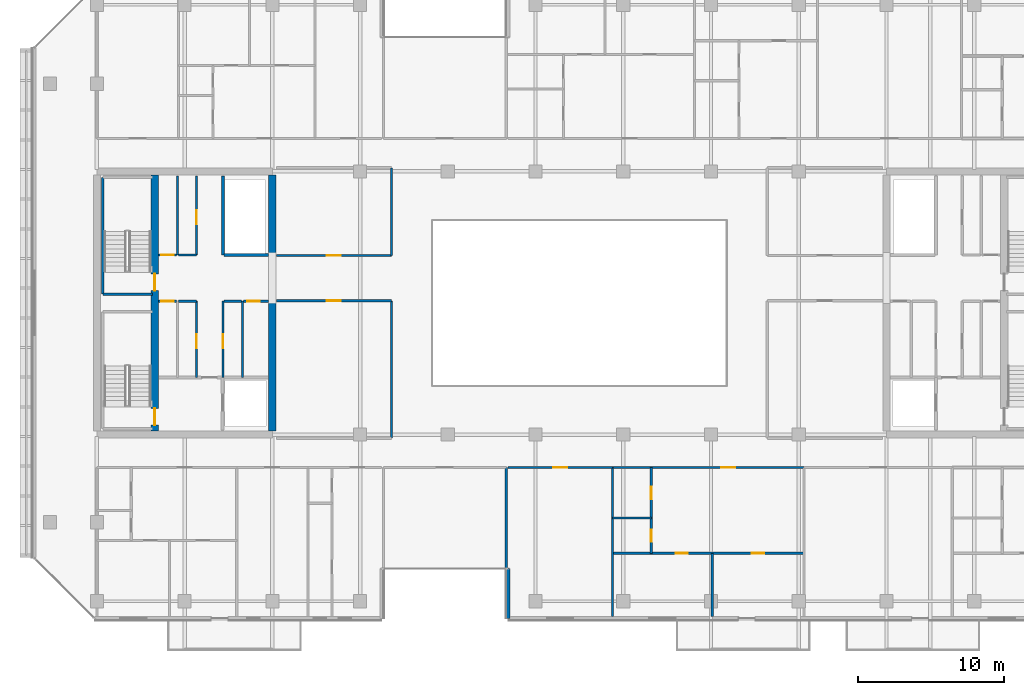
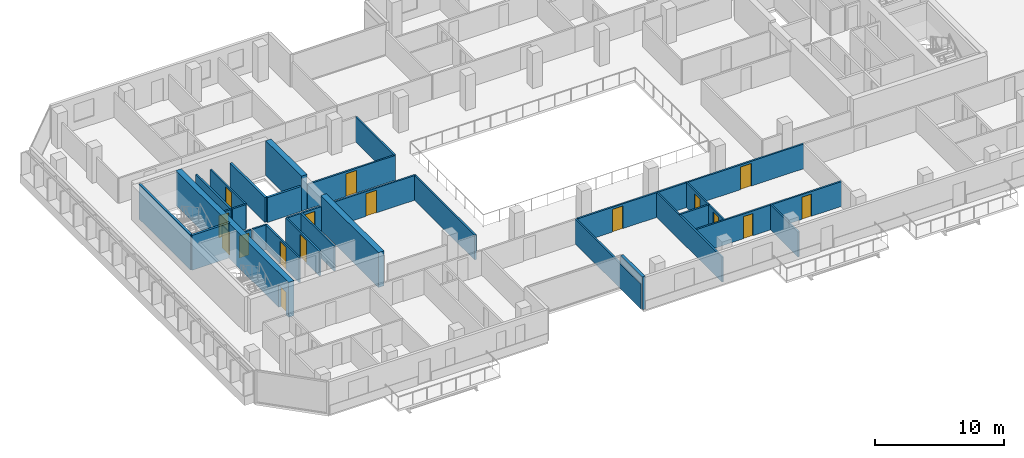
# One storey, part 20 of 29: 31 walls, 16 doors, 16 openings.
"""IFC4 building model written with IfcOpenShell, lengths in metres."""

from ifc_helpers import new_model, si_unit, direction, frame, frame_2d, origin, place, context, subcontext, project, spatial, rectangle, extrude, material, layer, layer_set, type_object, element, fill, save


model = new_model("IFC4")

# Units and contexts
model_context = context("Model", 3, precision=1e-05, world=origin(), true_north=direction((0.0, 1.0)))
body_context = subcontext(model_context, "Body", "Model", "MODEL_VIEW")
ifc_project = project(units=[si_unit("LENGTHUNIT", "METRE"), si_unit("AREAUNIT", "SQUARE_METRE"), si_unit("VOLUMEUNIT", "CUBIC_METRE"), si_unit("PLANEANGLEUNIT", "RADIAN"), si_unit("MASSUNIT", "GRAM", prefix="KILO")], contexts=[model_context])

# Site, building, storey
site_placement = place(None, origin())
site = spatial("IfcSite", under=ifc_project, at=site_placement, CompositionType="ELEMENT")
building_placement = place(site_placement, origin())
building = spatial("IfcBuilding", under=site, at=building_placement, Name="Tanjung Sevakor Pilgrim Tower", CompositionType="ELEMENT")
storey_placement = place(building_placement, frame((0.0, 0.0, 148.5)))
storey = spatial("IfcBuildingStorey", under=building, at=storey_placement, Name="L41", CompositionType="ELEMENT", Elevation=148.5)

# Walls
ifc_material_1 = material(Name="Concrete C60/75", Category="concrete")
ifc_layer_1 = layer(ifc_material_1, 0.5)
ifc_layer_set_1 = layer_set([ifc_layer_1], Name="WALL-CW-500")
wall_type_1 = type_object("IfcWallType", Name="WALL-CW-500", PredefinedType="SHEAR", material=ifc_layer_set_1)
wall_1_placement = place(storey_placement, frame((36.0, 24.85009765625, 0.0), z_axis=(0.0, 0.0, 1.0), x_axis=(0.0, 1.0, 0.0)))
element("IfcWall", 1, at=wall_1_placement, inside=storey, type_object=wall_type_1, Name="L41 W Core Inner Shear Wall South", PredefinedType="SHEAR", context=body_context, shape_type="SweptSolid", body=[
    extrude(rectangle(XDim=8.949951171875, YDim=0.5, at=frame_2d((4.47509765625, 0.0))), origin(), (0.0, 0.0, 1.0), 3.300048828125),
])
wall_2_placement = place(storey_placement, frame((36.0, 36.800048828125, 0.0), z_axis=(0.0, 0.0, 1.0), x_axis=(0.0, 1.0, 0.0)))
element("IfcWall", 2, at=wall_2_placement, inside=storey, type_object=wall_type_1, Name="L41 W Core Inner Shear Wall North", PredefinedType="SHEAR", context=body_context, shape_type="SweptSolid", body=[
    extrude(rectangle(XDim=5.550048828125, YDim=0.5, at=frame_2d((2.77490234375, 0.0))), origin(), (0.0, 0.0, 1.0), 3.300048828125),
])

# Wall, openings, doors
wall_3_placement = place(storey_placement, frame((27.949951171875, 24.85009765625, 0.0), z_axis=(0.0, 0.0, 1.0), x_axis=(0.0, 1.0, 0.0)))
wall_3 = element("IfcWall", 3, at=wall_3_placement, inside=storey, type_object=wall_type_1, Name="L41 W Core Stair Spine Wall", PredefinedType="SHEAR", context=body_context, shape_type="SweptSolid", body=[
    extrude(rectangle(XDim=17.5, YDim=0.5, at=frame_2d((8.75, 0.0))), origin(), (0.0, 0.0, 1.0), 3.300048828125),
])
opening_1_placement = place(wall_3_placement, frame((0.39990234375, 0.0, 0.0)))
opening_1 = element("IfcOpeningElement", 4, at=opening_1_placement, cuts=wall_3, Name="Opening ID-ST1", PredefinedType="OPENING", context=body_context, shape_type="SweptSolid", body=[
    extrude(rectangle(XDim=1.14990234375, YDim=2.14990234375, at=frame_2d((0.574951171875, 1.074951171875))), frame((0.0, 0.260009765625, 0.0), z_axis=(0.0, -1.0, 0.0), x_axis=(1.0, 0.0, 0.0)), (0.0, 0.0, 1.0), 0.52001953125),
])
opening_2_placement = place(wall_3_placement, frame((9.60009765625, 0.0, 0.0)))
opening_2 = element("IfcOpeningElement", 5, at=opening_2_placement, cuts=wall_3, Name="Opening ID-ST1", PredefinedType="OPENING", context=body_context, shape_type="SweptSolid", body=[
    extrude(rectangle(XDim=1.14990234375, YDim=2.14990234375, at=frame_2d((0.574951171875, 1.074951171875))), frame((0.0, 0.260009765625, 0.0), z_axis=(0.0, -1.0, 0.0), x_axis=(1.0, 0.0, 0.0)), (0.0, 0.0, 1.0), 0.52001953125),
])
ifc_material_2 = material(Name="Fire-Rated Steel S355J2", Category="steel")
door_type_1 = type_object("IfcDoorType", Name="DT-FIRE-1150", OperationType="NOTDEFINED", PredefinedType="DOOR", material=ifc_material_2)
door_1_placement = place(opening_1_placement, origin())
door_1 = element("IfcDoor", 6, at=door_1_placement, inside=storey, type_object=door_type_1, Name="L41 TS-W1 Stair Fire Door", OperationType="SINGLE_SWING_LEFT", OverallHeight=2.14990234375, OverallWidth=1.14990234375, PredefinedType="DOOR", context=body_context, shape_type="SweptSolid", body=[
    extrude(rectangle(XDim=1.14990234375, YDim=2.14990234375, at=frame_2d((0.574951171875, 1.074951171875))), frame((0.0, 0.02490234375, 0.0), z_axis=(0.0, -1.0, 0.0), x_axis=(1.0, 0.0, 0.0)), (0.0, 0.0, 1.0), 0.050048828125),
])
fill(opening_1, door_1)
door_2_placement = place(opening_2_placement, origin())
door_2 = element("IfcDoor", 7, at=door_2_placement, inside=storey, type_object=door_type_1, Name="L41 TS-W2 Stair Fire Door", OperationType="SINGLE_SWING_RIGHT", OverallHeight=2.14990234375, OverallWidth=1.14990234375, PredefinedType="DOOR", context=body_context, shape_type="SweptSolid", body=[
    extrude(rectangle(XDim=1.14990234375, YDim=2.14990234375, at=frame_2d((0.574951171875, 1.074951171875))), frame((0.0, 0.02490234375, 0.0), z_axis=(0.0, -1.0, 0.0), x_axis=(1.0, 0.0, 0.0)), (0.0, 0.0, 1.0), 0.050048828125),
])
fill(opening_2, door_2)

# Wall, opening, door
ifc_material_3 = material(Name="Concrete C40/50", Category="concrete")
ifc_layer_2 = layer(ifc_material_3, 0.14990234375)
ifc_layer_set_2 = layer_set([ifc_layer_2], Name="WT-COMP-150")
wall_type_2 = type_object("IfcWallType", Name="WT-COMP-150", PredefinedType="SOLIDWALL", material=ifc_layer_set_2)
wall_4_placement = place(storey_placement, frame((28.219970703125, 33.719970703125, 0.0), z_axis=(0.0, 0.0, 1.0), x_axis=(1.0, 0.0, 0.0)))
wall_4 = element("IfcWall", 8, at=wall_4_placement, inside=storey, type_object=wall_type_2, Name="L41 Partition IW-L41-004", PredefinedType="SOLIDWALL", context=body_context, shape_type="SweptSolid", body=[
    extrude(rectangle(XDim=1.22998046875, YDim=0.14990234375, at=frame_2d((0.614990234375, 0.0))), origin(), (0.0, 0.0, 1.0), 2.35009765625),
])
opening_3_placement = place(wall_4_placement, frame((0.179931640625, 0.0, 0.0)))
opening_3 = element("IfcOpeningElement", 9, at=opening_3_placement, cuts=wall_4, Name="Opening ID-FD3", PredefinedType="OPENING", context=body_context, shape_type="SweptSolid", body=[
    extrude(rectangle(XDim=0.85009765625, YDim=2.10009765625, at=frame_2d((0.425048828125, 1.050048828125))), frame((0.0, 0.0849609375, 0.0), z_axis=(0.0, -1.0, 0.0), x_axis=(1.0, 0.0, 0.0)), (0.0, 0.0, 1.0), 0.169921875),
])
ifc_material_4 = material(Name="Fire-Rated Timber", Category="wood")
door_type_2 = type_object("IfcDoorType", Name="DT-FIRE-850", OperationType="NOTDEFINED", PredefinedType="DOOR", material=ifc_material_4)
door_3_placement = place(opening_3_placement, origin())
door_3 = element("IfcDoor", 10, at=door_3_placement, inside=storey, type_object=door_type_2, Name="L41 Cleaner Store Door", OperationType="SINGLE_SWING_RIGHT", OverallHeight=2.10009765625, OverallWidth=0.85009765625, PredefinedType="DOOR", context=body_context, shape_type="SweptSolid", body=[
    extrude(rectangle(XDim=0.85009765625, YDim=2.10009765625, at=frame_2d((0.425048828125, 1.050048828125))), frame((0.0, 0.02490234375, 0.0), z_axis=(0.0, -1.0, 0.0), x_axis=(1.0, 0.0, 0.0)), (0.0, 0.0, 1.0), 0.050048828125),
])
fill(opening_3, door_3)

# Wall
wall_5_placement = place(storey_placement, frame((29.580078125, 33.719970703125, 0.0), z_axis=(0.0, 0.0, 1.0), x_axis=(1.0, 0.0, 0.0)))
element("IfcWall", 11, at=wall_5_placement, inside=storey, type_object=wall_type_2, Name="L41 Partition IW-L41-005", PredefinedType="SOLIDWALL", context=body_context, shape_type="SweptSolid", body=[
    extrude(rectangle(XDim=1.219970703125, YDim=0.14990234375, at=frame_2d((0.60986328125, 0.0))), origin(), (0.0, 0.0, 1.0), 2.35009765625),
])

# Wall, opening, door
wall_6_placement = place(storey_placement, frame((30.820068359375, 28.5, 0.0), z_axis=(0.0, 0.0, 1.0), x_axis=(0.0, 1.0, 0.0)))
wall_6 = element("IfcWall", 12, at=wall_6_placement, inside=storey, type_object=wall_type_2, Name="L41 Partition IW-L41-006", PredefinedType="SOLIDWALL", context=body_context, shape_type="SweptSolid", body=[
    extrude(rectangle(XDim=5.219970703125, YDim=0.14990234375, at=frame_2d((2.60986328125, 0.0))), origin(), (0.0, 0.0, 1.0), 2.35009765625),
])
opening_4_placement = place(wall_6_placement, frame((2.0, 0.0, 0.0)))
opening_4 = element("IfcOpeningElement", 13, at=opening_4_placement, cuts=wall_6, Name="Opening ID-FD2", PredefinedType="OPENING", context=body_context, shape_type="SweptSolid", body=[
    extrude(rectangle(XDim=0.949951171875, YDim=2.14990234375, at=frame_2d((0.47509765625, 1.074951171875))), frame((0.0, 0.0849609375, 0.0), z_axis=(0.0, -1.0, 0.0), x_axis=(1.0, 0.0, 0.0)), (0.0, 0.0, 1.0), 0.169921875),
])
ifc_material_5 = material(Name="Fire-Rated Timber", Category="wood")
door_type_3 = type_object("IfcDoorType", Name="DT-FIRE-950", OperationType="NOTDEFINED", PredefinedType="DOOR", material=ifc_material_5)
door_4_placement = place(opening_4_placement, origin())
door_4 = element("IfcDoor", 14, at=door_4_placement, inside=storey, type_object=door_type_3, Name="L41 Housekeeping Pantry Door", OperationType="SINGLE_SWING_LEFT", OverallHeight=2.14990234375, OverallWidth=0.949951171875, PredefinedType="DOOR", context=body_context, shape_type="SweptSolid", body=[
    extrude(rectangle(XDim=0.949951171875, YDim=2.14990234375, at=frame_2d((0.47509765625, 1.074951171875))), frame((0.0, 0.02490234375, 0.0), z_axis=(0.0, -1.0, 0.0), x_axis=(1.0, 0.0, 0.0)), (0.0, 0.0, 1.0), 0.050048828125),
])
fill(opening_4, door_4)

# Walls
wall_7_placement = place(storey_placement, frame((33.949951171875, 28.5, 0.0), z_axis=(0.0, 0.0, 1.0), x_axis=(0.0, 1.0, 0.0)))
element("IfcWall", 15, at=wall_7_placement, inside=storey, type_object=wall_type_2, Name="L41 Partition IW-L41-007", PredefinedType="SOLIDWALL", context=body_context, shape_type="SweptSolid", body=[
    extrude(rectangle(XDim=5.219970703125, YDim=0.14990234375, at=frame_2d((2.60986328125, 0.0))), origin(), (0.0, 0.0, 1.0), 2.35009765625),
])
wall_8_placement = place(storey_placement, frame((32.679931640625, 33.719970703125, 0.0), z_axis=(0.0, 0.0, 1.0), x_axis=(1.0, 0.0, 0.0)))
element("IfcWall", 16, at=wall_8_placement, inside=storey, type_object=wall_type_2, Name="L41 Partition IW-L41-008", PredefinedType="SOLIDWALL", context=body_context, shape_type="SweptSolid", body=[
    extrude(rectangle(XDim=1.2099609375, YDim=0.14990234375, at=frame_2d((0.60498046875, 0.0))), origin(), (0.0, 0.0, 1.0), 2.35009765625),
])

# Wall, opening, door
wall_9_placement = place(storey_placement, frame((34.010009765625, 33.719970703125, 0.0), z_axis=(0.0, 0.0, 1.0), x_axis=(1.0, 0.0, 0.0)))
wall_9 = element("IfcWall", 17, at=wall_9_placement, inside=storey, type_object=wall_type_2, Name="L41 Partition IW-L41-009", PredefinedType="SOLIDWALL", context=body_context, shape_type="SweptSolid", body=[
    extrude(rectangle(XDim=1.719970703125, YDim=0.14990234375, at=frame_2d((0.85986328125, 0.0))), origin(), (0.0, 0.0, 1.0), 2.35009765625),
])
opening_5_placement = place(wall_9_placement, frame((0.280029296875, 0.0, 0.0)))
opening_5 = element("IfcOpeningElement", 18, at=opening_5_placement, cuts=wall_9, Name="Opening ID-FD3", PredefinedType="OPENING", context=body_context, shape_type="SweptSolid", body=[
    extrude(rectangle(XDim=0.85009765625, YDim=2.10009765625, at=frame_2d((0.425048828125, 1.050048828125))), frame((0.0, 0.0849609375, 0.0), z_axis=(0.0, -1.0, 0.0), x_axis=(1.0, 0.0, 0.0)), (0.0, 0.0, 1.0), 0.169921875),
])
door_5_placement = place(opening_5_placement, origin())
door_5 = element("IfcDoor", 19, at=door_5_placement, inside=storey, type_object=door_type_2, Name="L41 Service Store Door", OperationType="SINGLE_SWING_RIGHT", OverallHeight=2.10009765625, OverallWidth=0.85009765625, PredefinedType="DOOR", context=body_context, shape_type="SweptSolid", body=[
    extrude(rectangle(XDim=0.85009765625, YDim=2.10009765625, at=frame_2d((0.425048828125, 1.050048828125))), frame((0.0, 0.02490234375, 0.0), z_axis=(0.0, -1.0, 0.0), x_axis=(1.0, 0.0, 0.0)), (0.0, 0.0, 1.0), 0.050048828125),
])
fill(opening_5, door_5)

wall_10_placement = place(storey_placement, frame((32.6201171875, 28.5, 0.0), z_axis=(0.0, 0.0, 1.0), x_axis=(0.0, 1.0, 0.0)))
wall_10 = element("IfcWall", 20, at=wall_10_placement, inside=storey, type_object=wall_type_2, Name="L41 Partition IW-L41-010", PredefinedType="SOLIDWALL", context=body_context, shape_type="SweptSolid", body=[
    extrude(rectangle(XDim=5.219970703125, YDim=0.14990234375, at=frame_2d((2.60986328125, 0.0))), origin(), (0.0, 0.0, 1.0), 2.35009765625),
])
opening_6_placement = place(wall_10_placement, frame((2.0, 0.0, 0.0)))
opening_6 = element("IfcOpeningElement", 21, at=opening_6_placement, cuts=wall_10, Name="Opening ID-FD2", PredefinedType="OPENING", context=body_context, shape_type="SweptSolid", body=[
    extrude(rectangle(XDim=0.949951171875, YDim=2.14990234375, at=frame_2d((0.47509765625, 1.074951171875))), frame((0.0, 0.0849609375, 0.0), z_axis=(0.0, -1.0, 0.0), x_axis=(1.0, 0.0, 0.0)), (0.0, 0.0, 1.0), 0.169921875),
])
door_6_placement = place(opening_6_placement, origin())
door_6 = element("IfcDoor", 22, at=door_6_placement, inside=storey, type_object=door_type_3, Name="L41 Accessible WC Door", OperationType="SINGLE_SWING_LEFT", OverallHeight=2.14990234375, OverallWidth=0.949951171875, PredefinedType="DOOR", context=body_context, shape_type="SweptSolid", body=[
    extrude(rectangle(XDim=0.949951171875, YDim=2.14990234375, at=frame_2d((0.47509765625, 1.074951171875))), frame((0.0, 0.02490234375, 0.0), z_axis=(0.0, -1.0, 0.0), x_axis=(1.0, 0.0, 0.0)), (0.0, 0.0, 1.0), 0.050048828125),
])
fill(opening_6, door_6)

# Wall
wall_11_placement = place(storey_placement, frame((29.52001953125, 36.8798828125, 0.0), z_axis=(0.0, 0.0, 1.0), x_axis=(0.0, 1.0, 0.0)))
element("IfcWall", 23, at=wall_11_placement, inside=storey, type_object=wall_type_2, Name="L41 Partition IW-L41-011", PredefinedType="SOLIDWALL", context=body_context, shape_type="SweptSolid", body=[
    extrude(rectangle(XDim=5.420166015625, YDim=0.14990234375, at=frame_2d((2.7099609375, 0.0))), origin(), (0.0, 0.0, 1.0), 2.35009765625),
])

# Wall, opening, door
wall_12_placement = place(storey_placement, frame((28.219970703125, 36.8798828125, 0.0), z_axis=(0.0, 0.0, 1.0), x_axis=(1.0, 0.0, 0.0)))
wall_12 = element("IfcWall", 24, at=wall_12_placement, inside=storey, type_object=wall_type_2, Name="L41 Partition IW-L41-012", PredefinedType="SOLIDWALL", context=body_context, shape_type="SweptSolid", body=[
    extrude(rectangle(XDim=1.22998046875, YDim=0.14990234375, at=frame_2d((0.614990234375, 0.0))), origin(), (0.0, 0.0, 1.0), 2.35009765625),
])
opening_7_placement = place(wall_12_placement, frame((0.179931640625, 0.0, 0.0)))
opening_7 = element("IfcOpeningElement", 25, at=opening_7_placement, cuts=wall_12, Name="Opening ID-FD3", PredefinedType="OPENING", context=body_context, shape_type="SweptSolid", body=[
    extrude(rectangle(XDim=0.85009765625, YDim=2.10009765625, at=frame_2d((0.425048828125, 1.050048828125))), frame((0.0, 0.0849609375, 0.0), z_axis=(0.0, -1.0, 0.0), x_axis=(1.0, 0.0, 0.0)), (0.0, 0.0, 1.0), 0.169921875),
])
door_7_placement = place(opening_7_placement, origin())
door_7 = element("IfcDoor", 26, at=door_7_placement, inside=storey, type_object=door_type_2, Name="L41 Service Store Door", OperationType="SINGLE_SWING_RIGHT", OverallHeight=2.10009765625, OverallWidth=0.85009765625, PredefinedType="DOOR", context=body_context, shape_type="SweptSolid", body=[
    extrude(rectangle(XDim=0.85009765625, YDim=2.10009765625, at=frame_2d((0.425048828125, 1.050048828125))), frame((0.0, 0.02490234375, 0.0), z_axis=(0.0, -1.0, 0.0), x_axis=(1.0, 0.0, 0.0)), (0.0, 0.0, 1.0), 0.050048828125),
])
fill(opening_7, door_7)

# Wall
wall_13_placement = place(storey_placement, frame((29.580078125, 36.8798828125, 0.0), z_axis=(0.0, 0.0, 1.0), x_axis=(1.0, 0.0, 0.0)))
element("IfcWall", 27, at=wall_13_placement, inside=storey, type_object=wall_type_2, Name="L41 Partition IW-L41-013", PredefinedType="SOLIDWALL", context=body_context, shape_type="SweptSolid", body=[
    extrude(rectangle(XDim=1.219970703125, YDim=0.14990234375, at=frame_2d((0.60986328125, 0.0))), origin(), (0.0, 0.0, 1.0), 2.35009765625),
])

# Wall, opening, door
wall_14_placement = place(storey_placement, frame((30.820068359375, 36.8798828125, 0.0), z_axis=(0.0, 0.0, 1.0), x_axis=(0.0, 1.0, 0.0)))
wall_14 = element("IfcWall", 28, at=wall_14_placement, inside=storey, type_object=wall_type_2, Name="L41 Partition IW-L41-014", PredefinedType="SOLIDWALL", context=body_context, shape_type="SweptSolid", body=[
    extrude(rectangle(XDim=5.420166015625, YDim=0.14990234375, at=frame_2d((2.7099609375, 0.0))), origin(), (0.0, 0.0, 1.0), 2.35009765625),
])
opening_8_placement = place(wall_14_placement, frame((2.10009765625, 0.0, 0.0)))
opening_8 = element("IfcOpeningElement", 29, at=opening_8_placement, cuts=wall_14, Name="Opening ID-FD2", PredefinedType="OPENING", context=body_context, shape_type="SweptSolid", body=[
    extrude(rectangle(XDim=0.949951171875, YDim=2.14990234375, at=frame_2d((0.47509765625, 1.074951171875))), frame((0.0, 0.0849609375, 0.0), z_axis=(0.0, -1.0, 0.0), x_axis=(1.0, 0.0, 0.0)), (0.0, 0.0, 1.0), 0.169921875),
])
door_8_placement = place(opening_8_placement, origin())
door_8 = element("IfcDoor", 30, at=door_8_placement, inside=storey, type_object=door_type_3, Name="L41 Core Reading Room Door", OperationType="SINGLE_SWING_LEFT", OverallHeight=2.14990234375, OverallWidth=0.949951171875, PredefinedType="DOOR", context=body_context, shape_type="SweptSolid", body=[
    extrude(rectangle(XDim=0.949951171875, YDim=2.14990234375, at=frame_2d((0.47509765625, 1.074951171875))), frame((0.0, 0.02490234375, 0.0), z_axis=(0.0, -1.0, 0.0), x_axis=(1.0, 0.0, 0.0)), (0.0, 0.0, 1.0), 0.050048828125),
])
fill(opening_8, door_8)

wall_15_placement = place(storey_placement, frame((36.27001953125, 33.75, 0.0), z_axis=(0.0, 0.0, 1.0), x_axis=(1.0, 0.0, 0.0)))
wall_15 = element("IfcWall", 31, at=wall_15_placement, inside=storey, type_object=wall_type_2, Name="L41 Partition IW-L41-034", PredefinedType="SOLIDWALL", context=body_context, shape_type="SweptSolid", body=[
    extrude(rectangle(XDim=7.8798828125, YDim=0.14990234375, at=frame_2d((3.93994140625, 0.0))), origin(), (0.0, 0.0, 1.0), 2.35009765625),
])
opening_9_placement = place(wall_15_placement, frame((3.465087890625, 0.0, 0.0)))
opening_9 = element("IfcOpeningElement", 32, at=opening_9_placement, cuts=wall_15, Name="Opening ID-RM1", PredefinedType="OPENING", context=body_context, shape_type="SweptSolid", body=[
    extrude(rectangle(XDim=0.949951171875, YDim=2.14990234375, at=frame_2d((0.47509765625, 1.074951171875))), frame((0.0, 0.0849609375, 0.0), z_axis=(0.0, -1.0, 0.0), x_axis=(1.0, 0.0, 0.0)), (0.0, 0.0, 1.0), 0.169921875),
])
ifc_material_6 = material(Name="Hardwood Timber", Category="wood")
door_type_4 = type_object("IfcDoorType", Name="DT-INT-950", OperationType="NOTDEFINED", PredefinedType="DOOR", material=ifc_material_6)
door_9_placement = place(opening_9_placement, origin())
door_9 = element("IfcDoor", 33, at=door_9_placement, inside=storey, type_object=door_type_4, Name="L41 West Inboard South Door", OperationType="SINGLE_SWING_RIGHT", OverallHeight=2.14990234375, OverallWidth=0.949951171875, PredefinedType="DOOR", context=body_context, shape_type="SweptSolid", body=[
    extrude(rectangle(XDim=0.949951171875, YDim=2.14990234375, at=frame_2d((0.47509765625, 1.074951171875))), frame((0.0, 0.02490234375, 0.0), z_axis=(0.0, -1.0, 0.0), x_axis=(1.0, 0.0, 0.0)), (0.0, 0.0, 1.0), 0.050048828125),
])
fill(opening_9, door_9)

# Wall
wall_16_placement = place(storey_placement, frame((44.14990234375, 24.35009765625, 0.0), z_axis=(0.0, 0.0, 1.0), x_axis=(0.0, 1.0, 0.0)))
element("IfcWall", 34, at=wall_16_placement, inside=storey, type_object=wall_type_2, Name="L41 Partition IW-L41-035", PredefinedType="SOLIDWALL", context=body_context, shape_type="SweptSolid", body=[
    extrude(rectangle(XDim=9.39990234375, YDim=0.14990234375, at=frame_2d((4.699951171875, 0.0))), origin(), (0.0, 0.0, 1.0), 2.35009765625),
])

# Wall, opening, door
wall_17_placement = place(storey_placement, frame((36.27001953125, 36.85009765625, 0.0), z_axis=(0.0, 0.0, 1.0), x_axis=(1.0, 0.0, 0.0)))
wall_17 = element("IfcWall", 35, at=wall_17_placement, inside=storey, type_object=wall_type_2, Name="L41 Partition IW-L41-036", PredefinedType="SOLIDWALL", context=body_context, shape_type="SweptSolid", body=[
    extrude(rectangle(XDim=7.8798828125, YDim=0.14990234375, at=frame_2d((3.93994140625, 0.0))), origin(), (0.0, 0.0, 1.0), 2.35009765625),
])
opening_10_placement = place(wall_17_placement, frame((3.465087890625, 0.0, 0.0)))
opening_10 = element("IfcOpeningElement", 36, at=opening_10_placement, cuts=wall_17, Name="Opening ID-RM1", PredefinedType="OPENING", context=body_context, shape_type="SweptSolid", body=[
    extrude(rectangle(XDim=0.949951171875, YDim=2.14990234375, at=frame_2d((0.47509765625, 1.074951171875))), frame((0.0, 0.0849609375, 0.0), z_axis=(0.0, -1.0, 0.0), x_axis=(1.0, 0.0, 0.0)), (0.0, 0.0, 1.0), 0.169921875),
])
door_10_placement = place(opening_10_placement, origin())
door_10 = element("IfcDoor", 37, at=door_10_placement, inside=storey, type_object=door_type_4, Name="L41 West Inboard North Door", OperationType="SINGLE_SWING_LEFT", OverallHeight=2.14990234375, OverallWidth=0.949951171875, PredefinedType="DOOR", context=body_context, shape_type="SweptSolid", body=[
    extrude(rectangle(XDim=0.949951171875, YDim=2.14990234375, at=frame_2d((0.47509765625, 1.074951171875))), frame((0.0, 0.02490234375, 0.0), z_axis=(0.0, -1.0, 0.0), x_axis=(1.0, 0.0, 0.0)), (0.0, 0.0, 1.0), 0.050048828125),
])
fill(opening_10, door_10)

# Walls
wall_18_placement = place(storey_placement, frame((44.14990234375, 36.85009765625, 0.0), z_axis=(0.0, 0.0, 1.0), x_axis=(0.0, 1.0, 0.0)))
element("IfcWall", 38, at=wall_18_placement, inside=storey, type_object=wall_type_2, Name="L41 Partition IW-L41-038", PredefinedType="SOLIDWALL", context=body_context, shape_type="SweptSolid", body=[
    extrude(rectangle(XDim=6.0, YDim=0.14990234375, at=frame_2d((3.0, 0.0))), origin(), (0.0, 0.0, 1.0), 2.35009765625),
])
for number, where, z_axis, x_axis, name in (
    (39, (52.0, 12.14990234375, 0.0), (0.0, 0.0, 1.0), (0.0, 1.0, 0.0), "L41 Partition IW-L41-047"),
    (40, (59.267333984375, 12.14990234375, 0.0), (0.0, 0.0, 1.0), (0.0, 1.0, 0.0), "L41 Partition IW-L41-064"),
):
    element("IfcWall", number, at=place(storey_placement, frame(where, z_axis=z_axis, x_axis=x_axis)), inside=storey, type_object=wall_type_2, Name=name, PredefinedType="SOLIDWALL", context=body_context, shape_type="SweptSolid", body=[
        extrude(rectangle(XDim=10.2001953125, YDim=0.14990234375, at=frame_2d((5.10009765625, 0.0))), origin(), (0.0, 0.0, 1.0), 2.35009765625),
    ])

# Wall, opening, door
wall_19_placement = place(storey_placement, frame((52.1201171875, 22.35009765625, 0.0), z_axis=(0.0, 0.0, 1.0), x_axis=(1.0, 0.0, 0.0)))
wall_19 = element("IfcWall", 41, at=wall_19_placement, inside=storey, type_object=wall_type_2, Name="L41 Partition IW-L41-065", PredefinedType="SOLIDWALL", context=body_context, shape_type="SweptSolid", body=[
    extrude(rectangle(XDim=7.147216796875, YDim=0.14990234375, at=frame_2d((3.57373046875, 0.0))), origin(), (0.0, 0.0, 1.0), 2.35009765625),
])
opening_11_placement = place(wall_19_placement, frame((3.0986328125, 0.0, 0.0)))
opening_11 = element("IfcOpeningElement", 42, at=opening_11_placement, cuts=wall_19, Name="Opening ID-FD2", PredefinedType="OPENING", context=body_context, shape_type="SweptSolid", body=[
    extrude(rectangle(XDim=0.949951171875, YDim=2.14990234375, at=frame_2d((0.47509765625, 1.074951171875))), frame((0.0, 0.0849609375, 0.0), z_axis=(0.0, -1.0, 0.0), x_axis=(1.0, 0.0, 0.0)), (0.0, 0.0, 1.0), 0.169921875),
])
door_11_placement = place(opening_11_placement, origin())
door_11 = element("IfcDoor", 43, at=door_11_placement, inside=storey, type_object=door_type_3, Name="Housekeeping Pantry Door", OperationType="SINGLE_SWING_LEFT", OverallHeight=2.14990234375, OverallWidth=0.949951171875, PredefinedType="DOOR", context=body_context, shape_type="SweptSolid", body=[
    extrude(rectangle(XDim=0.949951171875, YDim=2.14990234375, at=frame_2d((0.47509765625, 1.074951171875))), frame((0.0, 0.02490234375, 0.0), z_axis=(0.0, -1.0, 0.0), x_axis=(1.0, 0.0, 0.0)), (0.0, 0.0, 1.0), 0.050048828125),
])
fill(opening_11, door_11)

wall_20_placement = place(storey_placement, frame((59.267333984375, 22.35009765625, 0.0), z_axis=(0.0, 0.0, 1.0), x_axis=(1.0, 0.0, 0.0)))
wall_20 = element("IfcWall", 44, at=wall_20_placement, inside=storey, type_object=wall_type_2, Name="L41 Partition IW-L41-071", PredefinedType="SOLIDWALL", context=body_context, shape_type="SweptSolid", body=[
    extrude(rectangle(XDim=13.103759765625, YDim=0.14990234375, at=frame_2d((6.5517578125, 0.0))), origin(), (0.0, 0.0, 1.0), 2.35009765625),
])
opening_12_placement = place(wall_20_placement, frame((7.443115234375, 0.0, 0.0)))
opening_12 = element("IfcOpeningElement", 45, at=opening_12_placement, cuts=wall_20, Name="Opening ID-FD2", PredefinedType="OPENING", context=body_context, shape_type="SweptSolid", body=[
    extrude(rectangle(XDim=0.949951171875, YDim=2.14990234375, at=frame_2d((0.47509765625, 1.074951171875))), frame((0.0, 0.0849609375, 0.0), z_axis=(0.0, -1.0, 0.0), x_axis=(1.0, 0.0, 0.0)), (0.0, 0.0, 1.0), 0.169921875),
])
door_12_placement = place(opening_12_placement, origin())
door_12 = element("IfcDoor", 46, at=door_12_placement, inside=storey, type_object=door_type_3, Name="Suite Entrance", OperationType="SINGLE_SWING_RIGHT", OverallHeight=2.14990234375, OverallWidth=0.949951171875, PredefinedType="DOOR", context=body_context, shape_type="SweptSolid", body=[
    extrude(rectangle(XDim=0.949951171875, YDim=2.14990234375, at=frame_2d((0.47509765625, 1.074951171875))), frame((0.0, 0.02490234375, 0.0), z_axis=(0.0, -1.0, 0.0), x_axis=(1.0, 0.0, 0.0)), (0.0, 0.0, 1.0), 0.050048828125),
])
fill(opening_12, door_12)

# Walls
ifc_material_7 = material(Name="Precast concrete C45/55", Category="concrete")
ifc_layer_3 = layer(ifc_material_7, 0.25)
ifc_layer_set_3 = layer_set([ifc_layer_3], Name="WT-EW-STN3")
wall_type_3 = type_object("IfcWallType", Name="WT-EW-STN3", PredefinedType="SOLIDWALL", material=ifc_layer_set_3)
wall_21_placement = place(storey_placement, frame((52.125, 15.425048828125, 0.0), z_axis=(0.0, 0.0, 1.0), x_axis=(0.0, -1.0, 0.0)))
element("IfcWall", 47, at=wall_21_placement, inside=storey, type_object=wall_type_3, Name="L41 MAIN Exterior Wall 4", PredefinedType="SOLIDWALL", context=body_context, shape_type="SweptSolid", body=[
    extrude(rectangle(XDim=3.400146484375, YDim=0.25, at=frame_2d((1.7001953125, 0.0))), origin(), (0.0, 0.0, 1.0), 3.080078125),
])
ifc_material_8 = material(Name="Concrete C40/50", Category="concrete")
ifc_layer_4 = layer(ifc_material_8, 0.199951171875)
ifc_layer_set_4 = layer_set([ifc_layer_4], Name="WT-FIRE-200")
wall_type_4 = type_object("IfcWallType", Name="WT-FIRE-200", PredefinedType="SOLIDWALL", material=ifc_layer_set_4)
wall_22_placement = place(storey_placement, frame((24.39990234375, 34.199951171875, 0.0), z_axis=(0.0, 0.0, 1.0), x_axis=(1.0, 0.0, 0.0)))
element("IfcWall", 48, at=wall_22_placement, inside=storey, type_object=wall_type_4, Name="L41 TS-W2 Shaft Wall 1", PredefinedType="SOLIDWALL", context=body_context, shape_type="SweptSolid", body=[
    extrude(rectangle(XDim=3.400146484375, YDim=0.199951171875, at=frame_2d((1.7001953125, 0.0))), origin(), (0.0, 0.0, 1.0), 3.300048828125),
])
wall_23_placement = place(storey_placement, frame((24.39990234375, 42.199951171875, 0.0), z_axis=(0.0, 0.0, 1.0), x_axis=(0.0, -1.0, 0.0)))
element("IfcWall", 49, at=wall_23_placement, inside=storey, type_object=wall_type_4, Name="L41 TS-W2 Shaft Wall 3", PredefinedType="SOLIDWALL", context=body_context, shape_type="SweptSolid", body=[
    extrude(rectangle(XDim=8.0, YDim=0.199951171875, at=frame_2d((4.0, 0.0))), origin(), (0.0, 0.0, 1.0), 3.300048828125),
])
ifc_material_9 = material(Name="Concrete C40/50", Category="concrete")
ifc_layer_5 = layer(ifc_material_9, 0.199951171875)
ifc_layer_set_5 = layer_set([ifc_layer_5], Name="WT-FPRT-200")
wall_type_5 = type_object("IfcWallType", Name="WT-FPRT-200", PredefinedType="SOLIDWALL", material=ifc_layer_set_5)
wall_24_placement = place(storey_placement, frame((32.679931640625, 36.8798828125, 0.0), z_axis=(0.0, 0.0, 1.0), x_axis=(1.0, 0.0, 0.0)))
element("IfcWall", 50, at=wall_24_placement, inside=storey, type_object=wall_type_5, Name="L41 Partition IW-L41-015", PredefinedType="SOLIDWALL", context=body_context, shape_type="SweptSolid", body=[
    extrude(rectangle(XDim=3.050048828125, YDim=0.199951171875, at=frame_2d((1.52490234375, 0.0))), origin(), (0.0, 0.0, 1.0), 2.35009765625),
])
wall_25_placement = place(storey_placement, frame((32.6201171875, 36.8798828125, 0.0), z_axis=(0.0, 0.0, 1.0), x_axis=(0.0, 1.0, 0.0)))
element("IfcWall", 51, at=wall_25_placement, inside=storey, type_object=wall_type_5, Name="L41 Partition IW-L41-016", PredefinedType="SOLIDWALL", context=body_context, shape_type="SweptSolid", body=[
    extrude(rectangle(XDim=5.420166015625, YDim=0.199951171875, at=frame_2d((2.7099609375, 0.0))), origin(), (0.0, 0.0, 1.0), 2.35009765625),
])
ifc_material_10 = material(Name="Gypsum Board Partition", Category="gypsum board")
ifc_layer_6 = layer(ifc_material_10, 0.14990234375)
ifc_layer_set_6 = layer_set([ifc_layer_6], Name="WT-PART-150")
wall_type_6 = type_object("IfcWallType", Name="WT-PART-150", PredefinedType="PARTITIONING", material=ifc_layer_set_6)
wall_26_placement = place(storey_placement, frame((59.267333984375, 18.88623046875, 0.0), z_axis=(0.0, 0.0, 1.0), x_axis=(1.0, 0.0, 0.0)))
element("IfcWall", 52, at=wall_26_placement, inside=storey, type_object=wall_type_6, Name="L41 Partition IW-L41-067", PredefinedType="PARTITIONING", context=body_context, shape_type="SweptSolid", body=[
    extrude(rectangle(XDim=2.652587890625, YDim=0.14990234375, at=frame_2d((1.326171875, 0.0))), origin(), (0.0, 0.0, 1.0), 2.35009765625),
])

# Wall, openings, doors
wall_27_placement = place(storey_placement, frame((61.919921875, 16.4794921875, 0.0), z_axis=(0.0, 0.0, 1.0), x_axis=(0.0, 1.0, 0.0)))
wall_27 = element("IfcWall", 53, at=wall_27_placement, inside=storey, type_object=wall_type_6, Name="L41 Partition IW-L41-068", PredefinedType="PARTITIONING", context=body_context, shape_type="SweptSolid", body=[
    extrude(rectangle(XDim=5.87060546875, YDim=0.14990234375, at=frame_2d((2.935302734375, 0.0))), origin(), (0.0, 0.0, 1.0), 2.35009765625),
])
opening_13_placement = place(wall_27_placement, frame((0.778564453125, 0.0, 0.0)))
opening_13 = element("IfcOpeningElement", 54, at=opening_13_placement, cuts=wall_27, Name="Opening ID-WC1", PredefinedType="OPENING", context=body_context, shape_type="SweptSolid", body=[
    extrude(rectangle(XDim=0.85009765625, YDim=2.10009765625, at=frame_2d((0.425048828125, 1.050048828125))), frame((0.0, 0.0849609375, 0.0), z_axis=(0.0, -1.0, 0.0), x_axis=(1.0, 0.0, 0.0)), (0.0, 0.0, 1.0), 0.169921875),
])
opening_14_placement = place(wall_27_placement, frame((3.7138671875, 0.0, 0.0)))
opening_14 = element("IfcOpeningElement", 55, at=opening_14_placement, cuts=wall_27, Name="Opening ID-WC1", PredefinedType="OPENING", context=body_context, shape_type="SweptSolid", body=[
    extrude(rectangle(XDim=0.85009765625, YDim=2.10009765625, at=frame_2d((0.425048828125, 1.050048828125))), frame((0.0, 0.0849609375, 0.0), z_axis=(0.0, -1.0, 0.0), x_axis=(1.0, 0.0, 0.0)), (0.0, 0.0, 1.0), 0.169921875),
])
ifc_material_11 = material(Name="Moisture-Resistant Timber", Category="wood")
door_type_5 = type_object("IfcDoorType", Name="DT-INT-850", OperationType="NOTDEFINED", PredefinedType="DOOR", material=ifc_material_11)
door_13_placement = place(opening_13_placement, origin())
door_13 = element("IfcDoor", 56, at=door_13_placement, inside=storey, type_object=door_type_5, Name="Suite Bathroom Door", OperationType="SINGLE_SWING_RIGHT", OverallHeight=2.10009765625, OverallWidth=0.85009765625, PredefinedType="DOOR", context=body_context, shape_type="SweptSolid", body=[
    extrude(rectangle(XDim=0.85009765625, YDim=2.10009765625, at=frame_2d((0.425048828125, 1.050048828125))), frame((0.0, 0.02490234375, 0.0), z_axis=(0.0, -1.0, 0.0), x_axis=(1.0, 0.0, 0.0)), (0.0, 0.0, 1.0), 0.050048828125),
])
fill(opening_13, door_13)
door_14_placement = place(opening_14_placement, origin())
door_14 = element("IfcDoor", 57, at=door_14_placement, inside=storey, type_object=door_type_5, Name="Suite Kitchenette Door", OperationType="SINGLE_SWING_LEFT", OverallHeight=2.10009765625, OverallWidth=0.85009765625, PredefinedType="DOOR", context=body_context, shape_type="SweptSolid", body=[
    extrude(rectangle(XDim=0.85009765625, YDim=2.10009765625, at=frame_2d((0.425048828125, 1.050048828125))), frame((0.0, 0.02490234375, 0.0), z_axis=(0.0, -1.0, 0.0), x_axis=(1.0, 0.0, 0.0)), (0.0, 0.0, 1.0), 0.050048828125),
])
fill(opening_14, door_14)

# Wall
wall_28_placement = place(storey_placement, frame((66.081298828125, 12.14990234375, 0.0), z_axis=(0.0, 0.0, 1.0), x_axis=(0.0, 1.0, 0.0)))
element("IfcWall", 58, at=wall_28_placement, inside=storey, type_object=wall_type_6, Name="L41 Partition IW-L41-069", PredefinedType="PARTITIONING", context=body_context, shape_type="SweptSolid", body=[
    extrude(rectangle(XDim=4.32958984375, YDim=0.14990234375, at=frame_2d((2.164794921875, 0.0))), origin(), (0.0, 0.0, 1.0), 2.35009765625),
])

# Wall, openings, doors
wall_29_placement = place(storey_placement, frame((59.267333984375, 16.4794921875, 0.0), z_axis=(0.0, 0.0, 1.0), x_axis=(1.0, 0.0, 0.0)))
wall_29 = element("IfcWall", 59, at=wall_29_placement, inside=storey, type_object=wall_type_6, Name="L41 Partition IW-L41-070", PredefinedType="PARTITIONING", context=body_context, shape_type="SweptSolid", body=[
    extrude(rectangle(XDim=13.103759765625, YDim=0.14990234375, at=frame_2d((6.5517578125, 0.0))), origin(), (0.0, 0.0, 1.0), 2.35009765625),
])
opening_15_placement = place(wall_29_placement, frame((4.308349609375, 0.0, 0.0)))
opening_15 = element("IfcOpeningElement", 60, at=opening_15_placement, cuts=wall_29, Name="Opening ID-WC1", PredefinedType="OPENING", context=body_context, shape_type="SweptSolid", body=[
    extrude(rectangle(XDim=0.85009765625, YDim=2.10009765625, at=frame_2d((0.425048828125, 1.050048828125))), frame((0.0, 0.0849609375, 0.0), z_axis=(0.0, -1.0, 0.0), x_axis=(1.0, 0.0, 0.0)), (0.0, 0.0, 1.0), 0.169921875),
])
opening_16_placement = place(wall_29_placement, frame((9.53369140625, 0.0, 0.0)))
opening_16 = element("IfcOpeningElement", 61, at=opening_16_placement, cuts=wall_29, Name="Opening ID-WC1", PredefinedType="OPENING", context=body_context, shape_type="SweptSolid", body=[
    extrude(rectangle(XDim=0.85009765625, YDim=2.10009765625, at=frame_2d((0.425048828125, 1.050048828125))), frame((0.0, 0.0849609375, 0.0), z_axis=(0.0, -1.0, 0.0), x_axis=(1.0, 0.0, 0.0)), (0.0, 0.0, 1.0), 0.169921875),
])
door_15_placement = place(opening_15_placement, origin())
door_15 = element("IfcDoor", 62, at=door_15_placement, inside=storey, type_object=door_type_5, Name="Suite Bedroom 1 Door", OperationType="SINGLE_SWING_RIGHT", OverallHeight=2.10009765625, OverallWidth=0.85009765625, PredefinedType="DOOR", context=body_context, shape_type="SweptSolid", body=[
    extrude(rectangle(XDim=0.85009765625, YDim=2.10009765625, at=frame_2d((0.425048828125, 1.050048828125))), frame((0.0, 0.02490234375, 0.0), z_axis=(0.0, -1.0, 0.0), x_axis=(1.0, 0.0, 0.0)), (0.0, 0.0, 1.0), 0.050048828125),
])
fill(opening_15, door_15)
door_16_placement = place(opening_16_placement, origin())
door_16 = element("IfcDoor", 63, at=door_16_placement, inside=storey, type_object=door_type_5, Name="Suite Bedroom 2 Door", OperationType="SINGLE_SWING_LEFT", OverallHeight=2.10009765625, OverallWidth=0.85009765625, PredefinedType="DOOR", context=body_context, shape_type="SweptSolid", body=[
    extrude(rectangle(XDim=0.85009765625, YDim=2.10009765625, at=frame_2d((0.425048828125, 1.050048828125))), frame((0.0, 0.02490234375, 0.0), z_axis=(0.0, -1.0, 0.0), x_axis=(1.0, 0.0, 0.0)), (0.0, 0.0, 1.0), 0.050048828125),
])
fill(opening_16, door_16)

save(model, "model.ifc")
